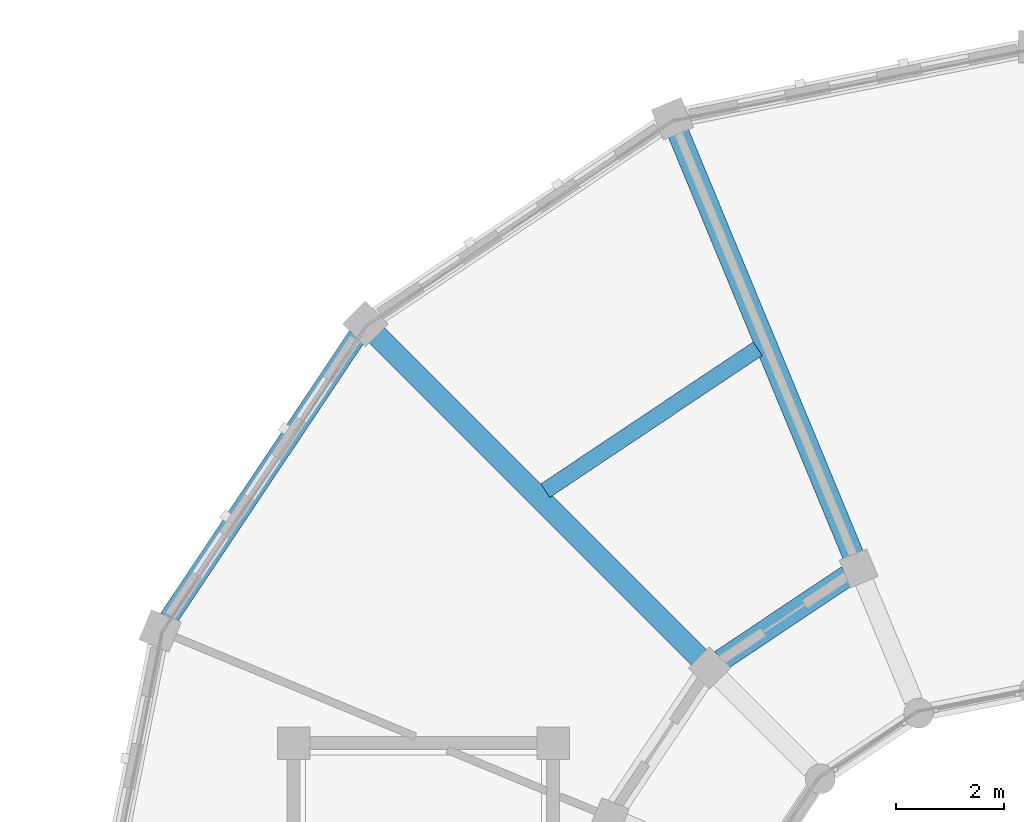
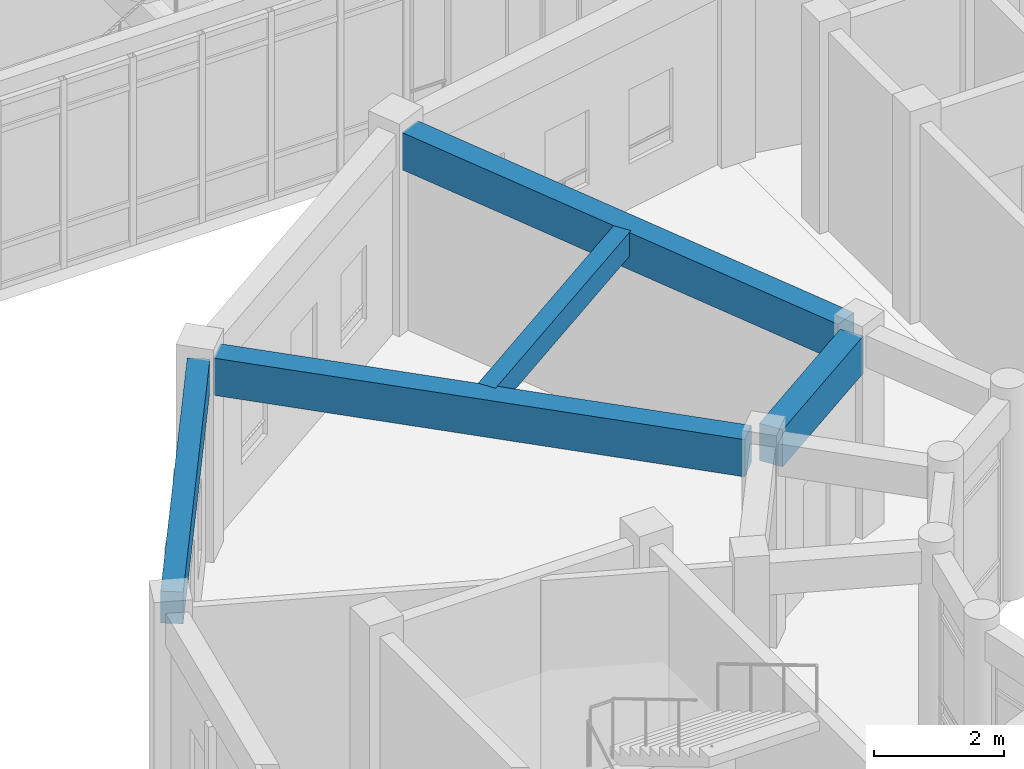
# One storey, part 13 of 112: 5 beams.
"""IFC4 building model written with IfcOpenShell, lengths in metres."""

import ifcopenshell
import ifcopenshell.guid

model = None  # the IFC model being written
_history = None  # IfcOwnerHistory: only IFC2X3 demands one
_inside = {}  # id of a spatial element -> (the spatial element, [elements in it])
_under = {}  # id of a project, library or spatial element -> (it, [spatial elements below it])
_declared = {}  # id of a project -> (the project, [libraries it declares])
_typed = {}  # id of a type object -> (the type object, [elements of that type])
_made_of = {}  # id of a material, layer set ... -> (it, [elements and type objects made of it])


def new_model(schema):
    """Start an empty IFC model of exactly this schema.

    Asked for "IFC4X3", IfcOpenShell would pick the latest addendum, in which some entities
    have other attributes; the version numbers below select the first issue.
    IFC2X3 requires an IfcOwnerHistory on every rooted entity: one is made here for all.
    """
    global model, _history
    if schema == "IFC4X3":
        model = ifcopenshell.file(schema_version=(4, 3, 0, 0))
    else:
        model = ifcopenshell.file(schema=schema)
    _inside.clear()
    _under.clear()
    _declared.clear()
    _typed.clear()
    _made_of.clear()
    _history = None
    if model.schema == "IFC2X3":
        org = make("IfcOrganization", Name="unknown")
        user = make(
            "IfcPersonAndOrganization",
            ThePerson=make("IfcPerson", FamilyName="unknown"),
            TheOrganization=org,
        )
        app = make(
            "IfcApplication",
            ApplicationDeveloper=org,
            Version="unknown",
            ApplicationFullName="unknown",
            ApplicationIdentifier="unknown",
        )
        _history = make(
            "IfcOwnerHistory",
            OwningUser=user,
            OwningApplication=app,
            ChangeAction="ADDED",
            CreationDate=0,
        )
    return model


def make(cls, **values):
    """One entity of the class cls with the attributes given. An attribute that is None is left unset."""
    return model.create_entity(
        cls, **{name: value for name, value in values.items() if value is not None}
    )


def rooted(cls, **values):
    """An entity with a GlobalId (a new one), such as an element, a storey or a relation."""
    return make(cls, GlobalId=ifcopenshell.guid.new(), OwnerHistory=_history, **values)


def si_unit(unit_type, name, prefix=None):
    """IfcSIUnit, for example si_unit("LENGTHUNIT", "METRE", prefix="MILLI")."""
    return make("IfcSIUnit", UnitType=unit_type, Prefix=prefix, Name=name)


def assignment(units):
    """IfcUnitAssignment: the units of a project."""
    return None if units is None else make("IfcUnitAssignment", Units=units)


def point(xyz):
    """IfcCartesianPoint."""
    return None if xyz is None else make("IfcCartesianPoint", Coordinates=xyz)


def direction(xyz):
    """IfcDirection."""
    return None if xyz is None else make("IfcDirection", DirectionRatios=xyz)


def frame(location, z_axis=None, x_axis=None):
    """IfcAxis2Placement3D, a coordinate frame: its origin and axes. An axis left out is left unset."""
    return make(
        "IfcAxis2Placement3D",
        Location=point(location),
        Axis=direction(z_axis),
        RefDirection=direction(x_axis),
    )


def frame_2d(location, x_axis=None):
    """IfcAxis2Placement2D, a coordinate frame in the plane: its origin and x axis."""
    return make(
        "IfcAxis2Placement2D", Location=point(location), RefDirection=direction(x_axis)
    )


def origin():
    """The frame at (0, 0, 0) with its axes left unset."""
    return frame((0.0, 0.0, 0.0))


def origin_2d():
    """The frame at (0, 0) in the plane with its x axis left unset."""
    return frame_2d((0.0, 0.0))


def place(relative_to, where):
    """IfcLocalPlacement: puts the frame where relative to a parent placement (None: the world)."""
    return make(
        "IfcLocalPlacement", PlacementRelTo=relative_to, RelativePlacement=where
    )


def context(
    kind, dimensions, precision=None, world=None, true_north=None, identifier=None
):
    """IfcGeometricRepresentationContext, for example the 3D "Model" context."""
    return make(
        "IfcGeometricRepresentationContext",
        ContextIdentifier=identifier,
        ContextType=kind,
        CoordinateSpaceDimension=dimensions,
        Precision=precision,
        WorldCoordinateSystem=world,
        TrueNorth=true_north,
    )


def subcontext(parent, identifier, kind, view, scale=None):
    """IfcGeometricRepresentationSubContext, for example "Body" below "Model"."""
    return make(
        "IfcGeometricRepresentationSubContext",
        ContextIdentifier=identifier,
        ContextType=kind,
        ParentContext=parent,
        TargetScale=scale,
        TargetView=view,
    )


def project(units=None, contexts=None):
    """IfcProject with its units and contexts."""
    return rooted(
        "IfcProject",
        Name="project",
        RepresentationContexts=contexts,
        UnitsInContext=assignment(units),
    )


def spatial(cls, under=None, at=None, **own):
    """A site, building, storey or space (cls), placed at a placement, below another one or the project."""
    s = rooted(cls, ObjectPlacement=at, **own)
    if under is not None:
        _under.setdefault(under.id(), (under, []))[1].append(s)
    return s


def profile(cls, at=None, kind="AREA", **sizes):
    """A parametric profile (cls). Its sizes go by their IFC names, for example OverallWidth=200.0."""
    return make(cls, ProfileType=kind, Position=at, **sizes)


def rectangle(**sizes):
    """IfcRectangleProfileDef."""
    return profile("IfcRectangleProfileDef", **sizes)


def extrude(swept, where, along, depth):
    """IfcExtrudedAreaSolid: the profile swept, set in the frame where, extruded along a direction by depth."""
    return make(
        "IfcExtrudedAreaSolid",
        SweptArea=swept,
        Position=where,
        ExtrudedDirection=direction(along),
        Depth=depth,
    )


def shape(context_of_items, identifier, shape_type, items):
    """IfcShapeRepresentation: the items that make up one representation, for example the "Body"."""
    return make(
        "IfcShapeRepresentation",
        ContextOfItems=context_of_items,
        RepresentationIdentifier=identifier,
        RepresentationType=shape_type,
        Items=items,
    )


def material(Name=None, Category=None):
    """IfcMaterial."""
    return make("IfcMaterial", Name=Name, Category=Category)


def material_profile(
    of_material, cross_section, Name=None, Category=None, Priority=None
):
    """IfcMaterialProfile: a cross section and its material."""
    return make(
        "IfcMaterialProfile",
        Name=Name,
        Material=of_material,
        Profile=cross_section,
        Priority=Priority,
        Category=Category,
    )


def profile_set(profiles, Name=None, composite=None):
    """IfcMaterialProfileSet."""
    return make(
        "IfcMaterialProfileSet",
        Name=Name,
        MaterialProfiles=profiles,
        CompositeProfile=composite,
    )


def made_of(thing, what):
    """Note that an element or type object is made of a material, layer set ...; save() writes the relation."""
    if what is not None:
        _made_of.setdefault(what.id(), (what, []))[1].append(thing)
    return thing


def type_object(cls, material=None, **own):
    """A type object (cls), such as IfcWallType, which elements share."""
    return made_of(rooted(cls, **own), material)


def element(
    cls,
    number,
    at=None,
    inside=None,
    cuts=None,
    type_object=None,
    material=None,
    context=None,
    identifier="Body",
    shape_type=None,
    held_by="IfcProductDefinitionShape",
    body=None,
    shapes=None,
    **own,
):
    """One element of the class cls, such as IfcWall. Its Tag is "e" and its number.

    at: its placement. inside: the storey or other place that contains it. cuts: it is an
    opening in that element (IfcRelVoidsElement). A single representation is given by context,
    identifier, shape_type and body (its items); several are given by shapes. held_by: the class
    of the entity that holds the representations. save() writes the other relations.
    """
    e = rooted(cls, Tag="e%d" % number, ObjectPlacement=at, **own)
    if body is not None:
        shapes = [shape(context, identifier, shape_type, body)]
    if shapes is not None:
        e.Representation = make(held_by, Representations=shapes)
    if inside is not None:
        _inside.setdefault(inside.id(), (inside, []))[1].append(e)
    if cuts is not None:
        rooted(
            "IfcRelVoidsElement", RelatingBuildingElement=cuts, RelatedOpeningElement=e
        )
    if type_object is not None:
        _typed.setdefault(type_object.id(), (type_object, []))[1].append(e)
    return made_of(e, material)


def aggregate(whole, parts):
    """IfcRelAggregates: a whole, such as a stair, and the parts it consists of."""
    return rooted("IfcRelAggregates", RelatingObject=whole, RelatedObjects=parts)


def save(model, path):
    """Write the relations noted so far, then the file.

    IfcRelAggregates (storeys below a building ...), IfcRelContainedInSpatialStructure (elements
    in a storey), IfcRelDefinesByType, IfcRelAssociatesMaterial and IfcRelDeclares: one each for
    every whole, place, type object, material and project.
    """
    for whole, parts in _under.values():
        aggregate(whole, parts)
    for where, things in _inside.values():
        rooted(
            "IfcRelContainedInSpatialStructure",
            RelatedElements=things,
            RelatingStructure=where,
        )
    for kind, things in _typed.values():
        rooted("IfcRelDefinesByType", RelatedObjects=things, RelatingType=kind)
    for what, things in _made_of.values():
        rooted("IfcRelAssociatesMaterial", RelatedObjects=things, RelatingMaterial=what)
    for by, libraries in _declared.values():
        rooted("IfcRelDeclares", RelatingContext=by, RelatedDefinitions=libraries)
    model.write(path)


model = new_model("IFC4")

# Units and contexts
model_context = context("Model", 3, precision=1e-05, world=origin(), true_north=direction((0.0, 1.0)))
body_context = subcontext(model_context, "Body", "Model", "MODEL_VIEW")
ifc_project = project(units=[si_unit("LENGTHUNIT", "METRE"), si_unit("AREAUNIT", "SQUARE_METRE"), si_unit("VOLUMEUNIT", "CUBIC_METRE"), si_unit("PLANEANGLEUNIT", "RADIAN"), si_unit("MASSUNIT", "GRAM", prefix="KILO")], contexts=[model_context])

# Site, building, storey
site_placement = place(None, origin())
site = spatial("IfcSite", under=ifc_project, at=site_placement, CompositionType="ELEMENT")
building_placement = place(site_placement, origin())
building = spatial("IfcBuilding", under=site, at=building_placement, Name="Celadon Cloister-Ring School", CompositionType="ELEMENT")
storey_placement = place(building_placement, frame((0.0, 0.0, 8.5)))
storey = spatial("IfcBuildingStorey", under=building, at=storey_placement, Name="L02", CompositionType="ELEMENT", Elevation=8.5)

# Beams
ifc_material_1 = material(Name="Concrete C35/45", Category="concrete")
ifc_material_profile_1 = material_profile(ifc_material_1, rectangle(XDim=0.39990234375, YDim=0.699951171875, at=origin_2d()), Name="RC400X700")
ifc_profile_set_1 = profile_set([ifc_material_profile_1], Name="Concrete C35/45")
beam_type_1 = type_object("IfcBeamType", Name="GT-03", PredefinedType="USERDEFINED", material=ifc_profile_set_1)
beam_1_placement = place(storey_placement, frame((13.60791015625, 35.9140625, 3.429931640625), z_axis=(0.382667268836, -0.923886227499, 0.0), x_axis=(0.923886227499, 0.382667268836, 0.0)))
element("IfcBeam", 1, at=beam_1_placement, inside=storey, type_object=beam_type_1, Name="Beam 1003", ObjectType="GIRDER", PredefinedType="USERDEFINED", context=body_context, shape_type="SweptSolid", body=[
    extrude(rectangle(XDim=0.39990234375, YDim=0.699951171875, at=origin_2d()), origin(), (0.0, 0.0, 1.0), 8.47509765625),
])
beam_2_placement = place(storey_placement, frame((8.02001953125, 32.179931640625, 3.429931640625), z_axis=(0.707106781187, -0.707106781187, 0.0), x_axis=(0.707106781187, 0.707106781187, 0.0)))
element("IfcBeam", 2, at=beam_2_placement, inside=storey, type_object=beam_type_1, Name="Beam 1005", ObjectType="GIRDER", PredefinedType="USERDEFINED", context=body_context, shape_type="SweptSolid", body=[
    extrude(rectangle(XDim=0.39990234375, YDim=0.699951171875, at=origin_2d()), origin(), (0.0, 0.0, 1.0), 8.475341796875),
])
beam_3_placement = place(storey_placement, frame((16.739013671875, 27.714111328125, 3.429931640625), z_axis=(-0.831315995752, -0.555800067657, 0.0), x_axis=(0.555800067657, -0.831315995752, 0.0)))
element("IfcBeam", 3, at=beam_3_placement, inside=storey, type_object=beam_type_1, Name="Beam 1036", ObjectType="GIRDER", PredefinedType="USERDEFINED", context=body_context, shape_type="SweptSolid", body=[
    extrude(rectangle(XDim=0.39990234375, YDim=0.699951171875, at=origin_2d()), origin(), (0.0, 0.0, 1.0), 2.816162109375),
])
ifc_material_2 = material(Name="Concrete C35/45", Category="concrete")
ifc_material_profile_2 = material_profile(ifc_material_2, rectangle(XDim=0.300048828125, YDim=0.449951171875, at=origin_2d()), Name="RC300X450")
ifc_profile_set_2 = profile_set([ifc_material_profile_2], Name="Concrete C35/45")
beam_type_2 = type_object("IfcBeamType", Name="JT-01", PredefinedType="JOIST", material=ifc_profile_set_2)
beam_4_placement = place(storey_placement, frame((15.0791015625, 31.9130859375, 3.554931640625), z_axis=(-0.831333623542, -0.55577370068, 0.0), x_axis=(0.55577370068, -0.831333623542, 0.0)))
element("IfcBeam", 4, at=beam_4_placement, inside=storey, type_object=beam_type_2, Name="Beam 1038", PredefinedType="JOIST", context=body_context, shape_type="SweptSolid", body=[
    extrude(rectangle(XDim=0.300048828125, YDim=0.449951171875, at=origin_2d()), origin(), (0.0, 0.0, 1.0), 4.721435546875),
])
ifc_material_3 = material(Name="Concrete C35/45", Category="concrete")
ifc_material_profile_3 = material_profile(ifc_material_3, rectangle(XDim=0.35009765625, YDim=0.60009765625, at=origin_2d()), Name="RC350X600")
ifc_profile_set_3 = profile_set([ifc_material_profile_3], Name="Concrete C35/45")
beam_type_3 = type_object("IfcBeamType", Name="SP-01", PredefinedType="SPANDREL", material=ifc_profile_set_3)
beam_5_placement = place(storey_placement, frame((7.673095703125, 32.14501953125, 3.47998046875), z_axis=(-0.555660177561, -0.831409506244, 0.0), x_axis=(0.831409506244, -0.555660177561, 0.0)))
element("IfcBeam", 5, at=beam_5_placement, inside=storey, type_object=beam_type_3, Name="Beam 1039", PredefinedType="SPANDREL", context=body_context, shape_type="SweptSolid", body=[
    extrude(rectangle(XDim=0.35009765625, YDim=0.60009765625, at=origin_2d()), origin(), (0.0, 0.0, 1.0), 6.27734375),
])

save(model, "model.ifc")
